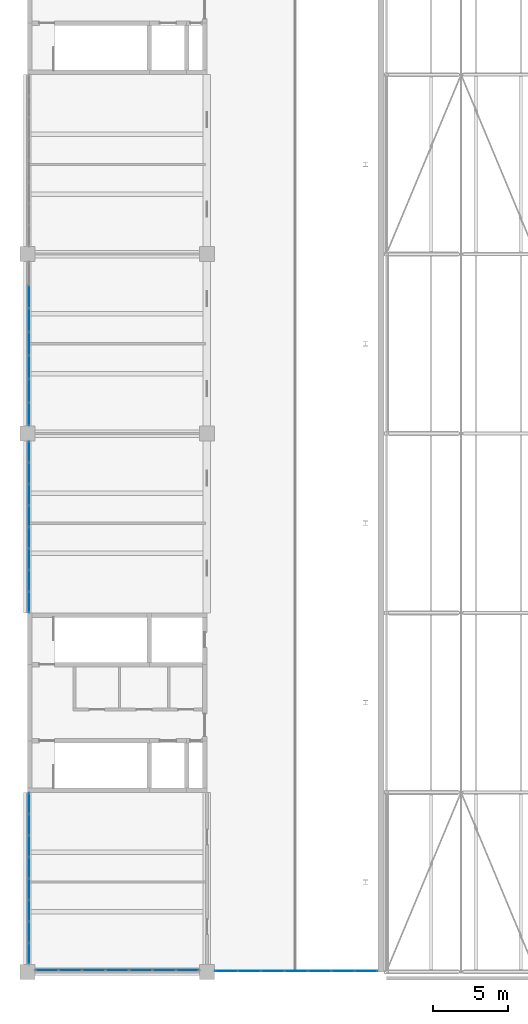
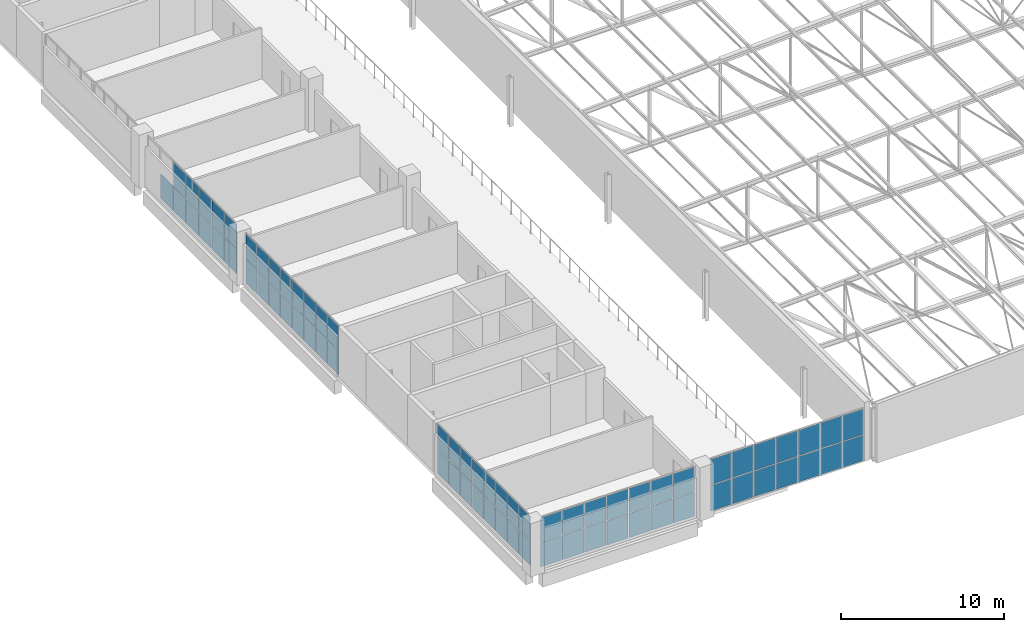
# One storey, part 134 of 156: 71 plates, 5 elements without a shape of their own.
"""IFC4 building model written with IfcOpenShell, lengths in metres."""

import ifcopenshell
import ifcopenshell.guid

model = None  # the IFC model being written
_history = None  # IfcOwnerHistory: only IFC2X3 demands one
_inside = {}  # id of a spatial element -> (the spatial element, [elements in it])
_under = {}  # id of a project, library or spatial element -> (it, [spatial elements below it])
_declared = {}  # id of a project -> (the project, [libraries it declares])
_typed = {}  # id of a type object -> (the type object, [elements of that type])
_made_of = {}  # id of a material, layer set ... -> (it, [elements and type objects made of it])


def new_model(schema):
    """Start an empty IFC model of exactly this schema.

    Asked for "IFC4X3", IfcOpenShell would pick the latest addendum, in which some entities
    have other attributes; the version numbers below select the first issue.
    IFC2X3 requires an IfcOwnerHistory on every rooted entity: one is made here for all.
    """
    global model, _history
    if schema == "IFC4X3":
        model = ifcopenshell.file(schema_version=(4, 3, 0, 0))
    else:
        model = ifcopenshell.file(schema=schema)
    _inside.clear()
    _under.clear()
    _declared.clear()
    _typed.clear()
    _made_of.clear()
    _history = None
    if model.schema == "IFC2X3":
        org = make("IfcOrganization", Name="unknown")
        user = make(
            "IfcPersonAndOrganization",
            ThePerson=make("IfcPerson", FamilyName="unknown"),
            TheOrganization=org,
        )
        app = make(
            "IfcApplication",
            ApplicationDeveloper=org,
            Version="unknown",
            ApplicationFullName="unknown",
            ApplicationIdentifier="unknown",
        )
        _history = make(
            "IfcOwnerHistory",
            OwningUser=user,
            OwningApplication=app,
            ChangeAction="ADDED",
            CreationDate=0,
        )
    return model


def make(cls, **values):
    """One entity of the class cls with the attributes given. An attribute that is None is left unset."""
    return model.create_entity(
        cls, **{name: value for name, value in values.items() if value is not None}
    )


def rooted(cls, **values):
    """An entity with a GlobalId (a new one), such as an element, a storey or a relation."""
    return make(cls, GlobalId=ifcopenshell.guid.new(), OwnerHistory=_history, **values)


def si_unit(unit_type, name, prefix=None):
    """IfcSIUnit, for example si_unit("LENGTHUNIT", "METRE", prefix="MILLI")."""
    return make("IfcSIUnit", UnitType=unit_type, Prefix=prefix, Name=name)


def assignment(units):
    """IfcUnitAssignment: the units of a project."""
    return None if units is None else make("IfcUnitAssignment", Units=units)


def point(xyz):
    """IfcCartesianPoint."""
    return None if xyz is None else make("IfcCartesianPoint", Coordinates=xyz)


def direction(xyz):
    """IfcDirection."""
    return None if xyz is None else make("IfcDirection", DirectionRatios=xyz)


def frame(location, z_axis=None, x_axis=None):
    """IfcAxis2Placement3D, a coordinate frame: its origin and axes. An axis left out is left unset."""
    return make(
        "IfcAxis2Placement3D",
        Location=point(location),
        Axis=direction(z_axis),
        RefDirection=direction(x_axis),
    )


def frame_2d(location, x_axis=None):
    """IfcAxis2Placement2D, a coordinate frame in the plane: its origin and x axis."""
    return make(
        "IfcAxis2Placement2D", Location=point(location), RefDirection=direction(x_axis)
    )


def origin():
    """The frame at (0, 0, 0) with its axes left unset."""
    return frame((0.0, 0.0, 0.0))


def origin_2d():
    """The frame at (0, 0) in the plane with its x axis left unset."""
    return frame_2d((0.0, 0.0))


def place(relative_to, where):
    """IfcLocalPlacement: puts the frame where relative to a parent placement (None: the world)."""
    return make(
        "IfcLocalPlacement", PlacementRelTo=relative_to, RelativePlacement=where
    )


def context(
    kind, dimensions, precision=None, world=None, true_north=None, identifier=None
):
    """IfcGeometricRepresentationContext, for example the 3D "Model" context."""
    return make(
        "IfcGeometricRepresentationContext",
        ContextIdentifier=identifier,
        ContextType=kind,
        CoordinateSpaceDimension=dimensions,
        Precision=precision,
        WorldCoordinateSystem=world,
        TrueNorth=true_north,
    )


def subcontext(parent, identifier, kind, view, scale=None):
    """IfcGeometricRepresentationSubContext, for example "Body" below "Model"."""
    return make(
        "IfcGeometricRepresentationSubContext",
        ContextIdentifier=identifier,
        ContextType=kind,
        ParentContext=parent,
        TargetScale=scale,
        TargetView=view,
    )


def project(units=None, contexts=None):
    """IfcProject with its units and contexts."""
    return rooted(
        "IfcProject",
        Name="project",
        RepresentationContexts=contexts,
        UnitsInContext=assignment(units),
    )


def spatial(cls, under=None, at=None, **own):
    """A site, building, storey or space (cls), placed at a placement, below another one or the project."""
    s = rooted(cls, ObjectPlacement=at, **own)
    if under is not None:
        _under.setdefault(under.id(), (under, []))[1].append(s)
    return s


def profile(cls, at=None, kind="AREA", **sizes):
    """A parametric profile (cls). Its sizes go by their IFC names, for example OverallWidth=200.0."""
    return make(cls, ProfileType=kind, Position=at, **sizes)


def rectangle(**sizes):
    """IfcRectangleProfileDef."""
    return profile("IfcRectangleProfileDef", **sizes)


def extrude(swept, where, along, depth):
    """IfcExtrudedAreaSolid: the profile swept, set in the frame where, extruded along a direction by depth."""
    return make(
        "IfcExtrudedAreaSolid",
        SweptArea=swept,
        Position=where,
        ExtrudedDirection=direction(along),
        Depth=depth,
    )


def shape(context_of_items, identifier, shape_type, items):
    """IfcShapeRepresentation: the items that make up one representation, for example the "Body"."""
    return make(
        "IfcShapeRepresentation",
        ContextOfItems=context_of_items,
        RepresentationIdentifier=identifier,
        RepresentationType=shape_type,
        Items=items,
    )


def material(Name=None, Category=None):
    """IfcMaterial."""
    return make("IfcMaterial", Name=Name, Category=Category)


def layer(
    of_material, thickness, ventilated=None, Name=None, Category=None, Priority=None
):
    """IfcMaterialLayer: one layer of a wall or slab, of a material (None: an air gap)."""
    return make(
        "IfcMaterialLayer",
        Material=of_material,
        LayerThickness=thickness,
        IsVentilated=ventilated,
        Name=Name,
        Category=Category,
        Priority=Priority,
    )


def layer_set(layers, Name=None):
    """IfcMaterialLayerSet."""
    return make("IfcMaterialLayerSet", MaterialLayers=layers, LayerSetName=Name)


def made_of(thing, what):
    """Note that an element or type object is made of a material, layer set ...; save() writes the relation."""
    if what is not None:
        _made_of.setdefault(what.id(), (what, []))[1].append(thing)
    return thing


def type_object(cls, material=None, **own):
    """A type object (cls), such as IfcWallType, which elements share."""
    return made_of(rooted(cls, **own), material)


def element(
    cls,
    number,
    at=None,
    inside=None,
    cuts=None,
    type_object=None,
    material=None,
    context=None,
    identifier="Body",
    shape_type=None,
    held_by="IfcProductDefinitionShape",
    body=None,
    shapes=None,
    **own,
):
    """One element of the class cls, such as IfcWall. Its Tag is "e" and its number.

    at: its placement. inside: the storey or other place that contains it. cuts: it is an
    opening in that element (IfcRelVoidsElement). A single representation is given by context,
    identifier, shape_type and body (its items); several are given by shapes. held_by: the class
    of the entity that holds the representations. save() writes the other relations.
    """
    e = rooted(cls, Tag="e%d" % number, ObjectPlacement=at, **own)
    if body is not None:
        shapes = [shape(context, identifier, shape_type, body)]
    if shapes is not None:
        e.Representation = make(held_by, Representations=shapes)
    if inside is not None:
        _inside.setdefault(inside.id(), (inside, []))[1].append(e)
    if cuts is not None:
        rooted(
            "IfcRelVoidsElement", RelatingBuildingElement=cuts, RelatedOpeningElement=e
        )
    if type_object is not None:
        _typed.setdefault(type_object.id(), (type_object, []))[1].append(e)
    return made_of(e, material)


def aggregate(whole, parts):
    """IfcRelAggregates: a whole, such as a stair, and the parts it consists of."""
    return rooted("IfcRelAggregates", RelatingObject=whole, RelatedObjects=parts)


def save(model, path):
    """Write the relations noted so far, then the file.

    IfcRelAggregates (storeys below a building ...), IfcRelContainedInSpatialStructure (elements
    in a storey), IfcRelDefinesByType, IfcRelAssociatesMaterial and IfcRelDeclares: one each for
    every whole, place, type object, material and project.
    """
    for whole, parts in _under.values():
        aggregate(whole, parts)
    for where, things in _inside.values():
        rooted(
            "IfcRelContainedInSpatialStructure",
            RelatedElements=things,
            RelatingStructure=where,
        )
    for kind, things in _typed.values():
        rooted("IfcRelDefinesByType", RelatedObjects=things, RelatingType=kind)
    for what, things in _made_of.values():
        rooted("IfcRelAssociatesMaterial", RelatedObjects=things, RelatingMaterial=what)
    for by, libraries in _declared.values():
        rooted("IfcRelDeclares", RelatingContext=by, RelatedDefinitions=libraries)
    model.write(path)


model = new_model("IFC4")

# Units and contexts
model_context = context("Model", 3, precision=1e-05, world=origin(), true_north=direction((0.0, 1.0)))
body_context = subcontext(model_context, "Body", "Model", "MODEL_VIEW")
ifc_project = project(units=[si_unit("LENGTHUNIT", "METRE"), si_unit("AREAUNIT", "SQUARE_METRE"), si_unit("VOLUMEUNIT", "CUBIC_METRE"), si_unit("PLANEANGLEUNIT", "RADIAN"), si_unit("MASSUNIT", "GRAM", prefix="KILO")], contexts=[model_context])

# Site, building, storey
site_placement = place(None, origin())
site = spatial("IfcSite", under=ifc_project, at=site_placement, CompositionType="ELEMENT")
building_placement = place(site_placement, origin())
building = spatial("IfcBuilding", under=site, at=building_placement, Name="Lilac Gate Convention Centre", CompositionType="ELEMENT")
storey_placement = place(building_placement, frame((0.0, 0.0, 17.0)))
storey = spatial("IfcBuildingStorey", under=building, at=storey_placement, Name="L03", CompositionType="ELEMENT", Elevation=17.0)

# Curtain wall, plates
ifc_material_1 = material(Name="Aluminium framed double glazing", Category="aluminium")
ifc_layer_1 = layer(ifc_material_1, 0.199951171875)
ifc_layer_set_1 = layer_set([ifc_layer_1], Name="Aluminium framed double glazing")
curtain_wall_type = type_object("IfcCurtainWallType", Name="Unitised curtain wall 1500", PredefinedType="NOTDEFINED", material=ifc_layer_set_1)
curtain_wall_1_placement = place(storey_placement, origin())
curtain_wall_1 = element("IfcCurtainWall", 1, at=curtain_wall_1_placement, inside=storey, type_object=curtain_wall_type, Name="Curtain wall PW L03 10", PredefinedType="NOTDEFINED")
ifc_material_2 = material(Name="Double glazed unit low emissivity")
ifc_layer_2 = layer(ifc_material_2, 0.028076171875)
ifc_layer_set_2 = layer_set([ifc_layer_2], Name="Double glazed unit low emissivity")
plate_type_1 = type_object("IfcPlateType", Name="Curtain wall glass panel 28", PredefinedType="CURTAIN_PANEL", material=ifc_layer_set_2)
plate_1_placement = place(storey_placement, frame((6.10009765625, 73.571533203125, 1.929931640625), z_axis=(0.0, 0.0, 1.0), x_axis=(0.0, -1.0, 0.0)))
plate_1 = element("IfcPlate", 2, at=plate_1_placement, type_object=plate_type_1, Name="CW panel 3.2", PredefinedType="CURTAIN_PANEL", context=body_context, shape_type="SweptSolid", body=[
    extrude(rectangle(XDim=1.511474609375, YDim=0.028076171875, at=origin_2d()), origin(), (0.0, 0.0, 1.0), 1.81005859375),
])
plate_2_placement = place(storey_placement, frame((6.10009765625, 72.0, 1.929931640625), z_axis=(0.0, 0.0, 1.0), x_axis=(0.0, -1.0, 0.0)))
plate_2 = element("IfcPlate", 3, at=plate_2_placement, type_object=plate_type_1, Name="CW panel 4.2", PredefinedType="CURTAIN_PANEL", context=body_context, shape_type="SweptSolid", body=[
    extrude(rectangle(XDim=1.511474609375, YDim=0.028076171875, at=origin_2d()), origin(), (0.0, 0.0, 1.0), 1.81005859375),
])
plate_3_placement = place(storey_placement, frame((6.10009765625, 70.428466796875, 1.929931640625), z_axis=(0.0, 0.0, 1.0), x_axis=(0.0, -1.0, 0.0)))
plate_3 = element("IfcPlate", 4, at=plate_3_placement, type_object=plate_type_1, Name="CW panel 5.2", PredefinedType="CURTAIN_PANEL", context=body_context, shape_type="SweptSolid", body=[
    extrude(rectangle(XDim=1.511474609375, YDim=0.028076171875, at=origin_2d()), origin(), (0.0, 0.0, 1.0), 1.81005859375),
])
plate_4_placement = place(storey_placement, frame((6.10009765625, 68.857177734375, 1.929931640625), z_axis=(0.0, 0.0, 1.0), x_axis=(0.0, -1.0, 0.0)))
plate_4 = element("IfcPlate", 5, at=plate_4_placement, type_object=plate_type_1, Name="CW panel 6.2", PredefinedType="CURTAIN_PANEL", context=body_context, shape_type="SweptSolid", body=[
    extrude(rectangle(XDim=1.511474609375, YDim=0.028076171875, at=origin_2d()), origin(), (0.0, 0.0, 1.0), 1.81005859375),
])
plate_5_placement = place(storey_placement, frame((6.10009765625, 67.30078125, 1.929931640625), z_axis=(0.0, 0.0, 1.0), x_axis=(0.0, -1.0, 0.0)))
plate_5 = element("IfcPlate", 6, at=plate_5_placement, type_object=plate_type_1, Name="CW panel 7.2", PredefinedType="CURTAIN_PANEL", context=body_context, shape_type="SweptSolid", body=[
    extrude(rectangle(XDim=1.4814453125, YDim=0.028076171875, at=origin_2d()), origin(), (0.0, 0.0, 1.0), 1.81005859375),
])

curtain_wall_2_placement = place(storey_placement, origin())
curtain_wall_2 = element("IfcCurtainWall", 7, at=curtain_wall_2_placement, inside=storey, type_object=curtain_wall_type, Name="Curtain wall PW L03 11", PredefinedType="NOTDEFINED")
plate_6_placement = place(storey_placement, frame((6.10009765625, 64.766357421875, 1.929931640625), z_axis=(0.0, 0.0, 1.0), x_axis=(0.0, -1.0, 0.0)))
plate_6 = element("IfcPlate", 8, at=plate_6_placement, type_object=plate_type_1, Name="CW panel 1.2", PredefinedType="CURTAIN_PANEL", context=body_context, shape_type="SweptSolid", body=[
    extrude(rectangle(XDim=1.347412109375, YDim=0.028076171875, at=origin_2d()), origin(), (0.0, 0.0, 1.0), 1.81005859375),
])
plate_7_placement = place(storey_placement, frame((6.10009765625, 63.34375, 1.929931640625), z_axis=(0.0, 0.0, 1.0), x_axis=(0.0, -1.0, 0.0)))
plate_7 = element("IfcPlate", 9, at=plate_7_placement, type_object=plate_type_1, Name="CW panel 2.2", PredefinedType="CURTAIN_PANEL", context=body_context, shape_type="SweptSolid", body=[
    extrude(rectangle(XDim=1.37744140625, YDim=0.028076171875, at=origin_2d()), origin(), (0.0, 0.0, 1.0), 1.81005859375),
])
plate_8_placement = place(storey_placement, frame((6.10009765625, 61.90625, 1.929931640625), z_axis=(0.0, 0.0, 1.0), x_axis=(0.0, -1.0, 0.0)))
plate_8 = element("IfcPlate", 10, at=plate_8_placement, type_object=plate_type_1, Name="CW panel 3.2", PredefinedType="CURTAIN_PANEL", context=body_context, shape_type="SweptSolid", body=[
    extrude(rectangle(XDim=1.37744140625, YDim=0.028076171875, at=origin_2d()), origin(), (0.0, 0.0, 1.0), 1.81005859375),
])
plate_9_placement = place(storey_placement, frame((6.10009765625, 60.46875, 1.929931640625), z_axis=(0.0, 0.0, 1.0), x_axis=(0.0, -1.0, 0.0)))
plate_9 = element("IfcPlate", 11, at=plate_9_placement, type_object=plate_type_1, Name="CW panel 4.2", PredefinedType="CURTAIN_PANEL", context=body_context, shape_type="SweptSolid", body=[
    extrude(rectangle(XDim=1.37744140625, YDim=0.028076171875, at=origin_2d()), origin(), (0.0, 0.0, 1.0), 1.81005859375),
])
plate_10_placement = place(storey_placement, frame((6.10009765625, 59.03125, 1.929931640625), z_axis=(0.0, 0.0, 1.0), x_axis=(0.0, -1.0, 0.0)))
plate_10 = element("IfcPlate", 12, at=plate_10_placement, type_object=plate_type_1, Name="CW panel 5.2", PredefinedType="CURTAIN_PANEL", context=body_context, shape_type="SweptSolid", body=[
    extrude(rectangle(XDim=1.37744140625, YDim=0.028076171875, at=origin_2d()), origin(), (0.0, 0.0, 1.0), 1.81005859375),
])
plate_11_placement = place(storey_placement, frame((6.10009765625, 57.59375, 1.929931640625), z_axis=(0.0, 0.0, 1.0), x_axis=(0.0, -1.0, 0.0)))
plate_11 = element("IfcPlate", 13, at=plate_11_placement, type_object=plate_type_1, Name="CW panel 6.2", PredefinedType="CURTAIN_PANEL", context=body_context, shape_type="SweptSolid", body=[
    extrude(rectangle(XDim=1.37744140625, YDim=0.028076171875, at=origin_2d()), origin(), (0.0, 0.0, 1.0), 1.81005859375),
])
plate_12_placement = place(storey_placement, frame((6.10009765625, 56.15625, 1.929931640625), z_axis=(0.0, 0.0, 1.0), x_axis=(0.0, -1.0, 0.0)))
plate_12 = element("IfcPlate", 14, at=plate_12_placement, type_object=plate_type_1, Name="CW panel 7.2", PredefinedType="CURTAIN_PANEL", context=body_context, shape_type="SweptSolid", body=[
    extrude(rectangle(XDim=1.37744140625, YDim=0.028076171875, at=origin_2d()), origin(), (0.0, 0.0, 1.0), 1.81005859375),
])
plate_13_placement = place(storey_placement, frame((6.10009765625, 54.733642578125, 1.929931640625), z_axis=(0.0, 0.0, 1.0), x_axis=(0.0, -1.0, 0.0)))
plate_13 = element("IfcPlate", 15, at=plate_13_placement, type_object=plate_type_1, Name="CW panel 8.2", PredefinedType="CURTAIN_PANEL", context=body_context, shape_type="SweptSolid", body=[
    extrude(rectangle(XDim=1.347412109375, YDim=0.028076171875, at=origin_2d()), origin(), (0.0, 0.0, 1.0), 1.81005859375),
])

curtain_wall_3_placement = place(storey_placement, origin())
curtain_wall_3 = element("IfcCurtainWall", 16, at=curtain_wall_3_placement, inside=storey, type_object=curtain_wall_type, Name="Curtain wall PW L03 12", PredefinedType="NOTDEFINED")
plate_14_placement = place(storey_placement, frame((6.10009765625, 41.266357421875, 1.929931640625), z_axis=(0.0, 0.0, 1.0), x_axis=(0.0, -1.0, 0.0)))
plate_14 = element("IfcPlate", 17, at=plate_14_placement, type_object=plate_type_1, Name="CW panel 1.2", PredefinedType="CURTAIN_PANEL", context=body_context, shape_type="SweptSolid", body=[
    extrude(rectangle(XDim=1.347412109375, YDim=0.028076171875, at=origin_2d()), origin(), (0.0, 0.0, 1.0), 1.81005859375),
])
plate_15_placement = place(storey_placement, frame((6.10009765625, 39.84375, 1.929931640625), z_axis=(0.0, 0.0, 1.0), x_axis=(0.0, -1.0, 0.0)))
plate_15 = element("IfcPlate", 18, at=plate_15_placement, type_object=plate_type_1, Name="CW panel 2.2", PredefinedType="CURTAIN_PANEL", context=body_context, shape_type="SweptSolid", body=[
    extrude(rectangle(XDim=1.37744140625, YDim=0.028076171875, at=origin_2d()), origin(), (0.0, 0.0, 1.0), 1.81005859375),
])
plate_16_placement = place(storey_placement, frame((6.10009765625, 38.40625, 1.929931640625), z_axis=(0.0, 0.0, 1.0), x_axis=(0.0, -1.0, 0.0)))
plate_16 = element("IfcPlate", 19, at=plate_16_placement, type_object=plate_type_1, Name="CW panel 3.2", PredefinedType="CURTAIN_PANEL", context=body_context, shape_type="SweptSolid", body=[
    extrude(rectangle(XDim=1.37744140625, YDim=0.028076171875, at=origin_2d()), origin(), (0.0, 0.0, 1.0), 1.81005859375),
])
plate_17_placement = place(storey_placement, frame((6.10009765625, 36.96875, 1.929931640625), z_axis=(0.0, 0.0, 1.0), x_axis=(0.0, -1.0, 0.0)))
plate_17 = element("IfcPlate", 20, at=plate_17_placement, type_object=plate_type_1, Name="CW panel 4.2", PredefinedType="CURTAIN_PANEL", context=body_context, shape_type="SweptSolid", body=[
    extrude(rectangle(XDim=1.37744140625, YDim=0.028076171875, at=origin_2d()), origin(), (0.0, 0.0, 1.0), 1.81005859375),
])
plate_18_placement = place(storey_placement, frame((6.10009765625, 35.53125, 1.929931640625), z_axis=(0.0, 0.0, 1.0), x_axis=(0.0, -1.0, 0.0)))
plate_18 = element("IfcPlate", 21, at=plate_18_placement, type_object=plate_type_1, Name="CW panel 5.2", PredefinedType="CURTAIN_PANEL", context=body_context, shape_type="SweptSolid", body=[
    extrude(rectangle(XDim=1.37744140625, YDim=0.028076171875, at=origin_2d()), origin(), (0.0, 0.0, 1.0), 1.81005859375),
])
plate_19_placement = place(storey_placement, frame((6.10009765625, 34.09375, 1.929931640625), z_axis=(0.0, 0.0, 1.0), x_axis=(0.0, -1.0, 0.0)))
plate_19 = element("IfcPlate", 22, at=plate_19_placement, type_object=plate_type_1, Name="CW panel 6.2", PredefinedType="CURTAIN_PANEL", context=body_context, shape_type="SweptSolid", body=[
    extrude(rectangle(XDim=1.37744140625, YDim=0.028076171875, at=origin_2d()), origin(), (0.0, 0.0, 1.0), 1.81005859375),
])
plate_20_placement = place(storey_placement, frame((6.10009765625, 32.65625, 1.929931640625), z_axis=(0.0, 0.0, 1.0), x_axis=(0.0, -1.0, 0.0)))
plate_20 = element("IfcPlate", 23, at=plate_20_placement, type_object=plate_type_1, Name="CW panel 7.2", PredefinedType="CURTAIN_PANEL", context=body_context, shape_type="SweptSolid", body=[
    extrude(rectangle(XDim=1.37744140625, YDim=0.028076171875, at=origin_2d()), origin(), (0.0, 0.0, 1.0), 1.81005859375),
])
plate_21_placement = place(storey_placement, frame((6.10009765625, 31.233642578125, 1.929931640625), z_axis=(0.0, 0.0, 1.0), x_axis=(0.0, -1.0, 0.0)))
plate_21 = element("IfcPlate", 24, at=plate_21_placement, type_object=plate_type_1, Name="CW panel 8.2", PredefinedType="CURTAIN_PANEL", context=body_context, shape_type="SweptSolid", body=[
    extrude(rectangle(XDim=1.347412109375, YDim=0.028076171875, at=origin_2d()), origin(), (0.0, 0.0, 1.0), 1.81005859375),
])

curtain_wall_4_placement = place(storey_placement, origin())
curtain_wall_4 = element("IfcCurtainWall", 25, at=curtain_wall_4_placement, inside=storey, type_object=curtain_wall_type, Name="Curtain wall PS L03 1", PredefinedType="NOTDEFINED")
plate_22_placement = place(storey_placement, frame((7.30078125, 30.10009765625, 1.929931640625), z_axis=(0.0, 0.0, 1.0), x_axis=(1.0, 0.0, 0.0)))
plate_22 = element("IfcPlate", 26, at=plate_22_placement, type_object=plate_type_1, Name="CW panel 1.2", PredefinedType="CURTAIN_PANEL", context=body_context, shape_type="SweptSolid", body=[
    extrude(rectangle(XDim=1.4814453125, YDim=0.028076171875, at=origin_2d()), origin(), (0.0, 0.0, 1.0), 1.81005859375),
])
plate_23_placement = place(storey_placement, frame((8.857177734375, 30.10009765625, 1.929931640625), z_axis=(0.0, 0.0, 1.0), x_axis=(1.0, 0.0, 0.0)))
plate_23 = element("IfcPlate", 27, at=plate_23_placement, type_object=plate_type_1, Name="CW panel 2.2", PredefinedType="CURTAIN_PANEL", context=body_context, shape_type="SweptSolid", body=[
    extrude(rectangle(XDim=1.511474609375, YDim=0.028076171875, at=origin_2d()), origin(), (0.0, 0.0, 1.0), 1.81005859375),
])
plate_24_placement = place(storey_placement, frame((10.428466796875, 30.10009765625, 1.929931640625), z_axis=(0.0, 0.0, 1.0), x_axis=(1.0, 0.0, 0.0)))
plate_24 = element("IfcPlate", 28, at=plate_24_placement, type_object=plate_type_1, Name="CW panel 3.2", PredefinedType="CURTAIN_PANEL", context=body_context, shape_type="SweptSolid", body=[
    extrude(rectangle(XDim=1.511474609375, YDim=0.028076171875, at=origin_2d()), origin(), (0.0, 0.0, 1.0), 1.81005859375),
])
plate_25_placement = place(storey_placement, frame((12.0, 30.10009765625, 1.929931640625), z_axis=(0.0, 0.0, 1.0), x_axis=(1.0, 0.0, 0.0)))
plate_25 = element("IfcPlate", 29, at=plate_25_placement, type_object=plate_type_1, Name="CW panel 4.2", PredefinedType="CURTAIN_PANEL", context=body_context, shape_type="SweptSolid", body=[
    extrude(rectangle(XDim=1.511474609375, YDim=0.028076171875, at=origin_2d()), origin(), (0.0, 0.0, 1.0), 1.81005859375),
])
plate_26_placement = place(storey_placement, frame((13.571533203125, 30.10009765625, 1.929931640625), z_axis=(0.0, 0.0, 1.0), x_axis=(1.0, 0.0, 0.0)))
plate_26 = element("IfcPlate", 30, at=plate_26_placement, type_object=plate_type_1, Name="CW panel 5.2", PredefinedType="CURTAIN_PANEL", context=body_context, shape_type="SweptSolid", body=[
    extrude(rectangle(XDim=1.511474609375, YDim=0.028076171875, at=origin_2d()), origin(), (0.0, 0.0, 1.0), 1.81005859375),
])
plate_27_placement = place(storey_placement, frame((15.142822265625, 30.10009765625, 1.929931640625), z_axis=(0.0, 0.0, 1.0), x_axis=(1.0, 0.0, 0.0)))
plate_27 = element("IfcPlate", 31, at=plate_27_placement, type_object=plate_type_1, Name="CW panel 6.2", PredefinedType="CURTAIN_PANEL", context=body_context, shape_type="SweptSolid", body=[
    extrude(rectangle(XDim=1.511474609375, YDim=0.028076171875, at=origin_2d()), origin(), (0.0, 0.0, 1.0), 1.81005859375),
])
plate_28_placement = place(storey_placement, frame((16.69921875, 30.10009765625, 1.929931640625), z_axis=(0.0, 0.0, 1.0), x_axis=(1.0, 0.0, 0.0)))
plate_28 = element("IfcPlate", 32, at=plate_28_placement, type_object=plate_type_1, Name="CW panel 7.2", PredefinedType="CURTAIN_PANEL", context=body_context, shape_type="SweptSolid", body=[
    extrude(rectangle(XDim=1.4814453125, YDim=0.028076171875, at=origin_2d()), origin(), (0.0, 0.0, 1.0), 1.81005859375),
])

curtain_wall_5_placement = place(storey_placement, origin())
curtain_wall_5 = element("IfcCurtainWall", 33, at=curtain_wall_5_placement, inside=storey, type_object=curtain_wall_type, Name="Galleria end glazing L03", PredefinedType="NOTDEFINED")
plate_29_placement = place(storey_placement, frame((19.297119140625, 30.050048828125, 0.06005859375), z_axis=(0.0, 0.0, 1.0), x_axis=(1.0, 0.0, 0.0)))
plate_29 = element("IfcPlate", 34, at=plate_29_placement, type_object=plate_type_1, Name="CW panel 1.1", PredefinedType="CURTAIN_PANEL", context=body_context, shape_type="SweptSolid", body=[
    extrude(rectangle(XDim=1.474365234375, YDim=0.028076171875, at=origin_2d()), origin(), (0.0, 0.0, 1.0), 1.909912109375),
])
plate_30_placement = place(storey_placement, frame((19.297119140625, 30.050048828125, 2.0302734375), z_axis=(0.0, 0.0, 1.0), x_axis=(1.0, 0.0, 0.0)))
plate_30 = element("IfcPlate", 35, at=plate_30_placement, type_object=plate_type_1, Name="CW panel 1.2", PredefinedType="CURTAIN_PANEL", context=body_context, shape_type="SweptSolid", body=[
    extrude(rectangle(XDim=1.474365234375, YDim=0.028076171875, at=origin_2d()), origin(), (0.0, 0.0, 1.0), 1.909912109375),
])
plate_31_placement = place(storey_placement, frame((20.846435546875, 30.050048828125, 0.06005859375), z_axis=(0.0, 0.0, 1.0), x_axis=(1.0, 0.0, 0.0)))
plate_31 = element("IfcPlate", 36, at=plate_31_placement, type_object=plate_type_1, Name="CW panel 2.1", PredefinedType="CURTAIN_PANEL", context=body_context, shape_type="SweptSolid", body=[
    extrude(rectangle(XDim=1.50439453125, YDim=0.028076171875, at=origin_2d()), origin(), (0.0, 0.0, 1.0), 1.909912109375),
])
plate_32_placement = place(storey_placement, frame((20.846435546875, 30.050048828125, 2.0302734375), z_axis=(0.0, 0.0, 1.0), x_axis=(1.0, 0.0, 0.0)))
plate_32 = element("IfcPlate", 37, at=plate_32_placement, type_object=plate_type_1, Name="CW panel 2.2", PredefinedType="CURTAIN_PANEL", context=body_context, shape_type="SweptSolid", body=[
    extrude(rectangle(XDim=1.50439453125, YDim=0.028076171875, at=origin_2d()), origin(), (0.0, 0.0, 1.0), 1.909912109375),
])
plate_33_placement = place(storey_placement, frame((22.41064453125, 30.050048828125, 0.06005859375), z_axis=(0.0, 0.0, 1.0), x_axis=(1.0, 0.0, 0.0)))
plate_33 = element("IfcPlate", 38, at=plate_33_placement, type_object=plate_type_1, Name="CW panel 3.1", PredefinedType="CURTAIN_PANEL", context=body_context, shape_type="SweptSolid", body=[
    extrude(rectangle(XDim=1.50439453125, YDim=0.028076171875, at=origin_2d()), origin(), (0.0, 0.0, 1.0), 1.909912109375),
])
plate_34_placement = place(storey_placement, frame((22.41064453125, 30.050048828125, 2.0302734375), z_axis=(0.0, 0.0, 1.0), x_axis=(1.0, 0.0, 0.0)))
plate_34 = element("IfcPlate", 39, at=plate_34_placement, type_object=plate_type_1, Name="CW panel 3.2", PredefinedType="CURTAIN_PANEL", context=body_context, shape_type="SweptSolid", body=[
    extrude(rectangle(XDim=1.50439453125, YDim=0.028076171875, at=origin_2d()), origin(), (0.0, 0.0, 1.0), 1.909912109375),
])
plate_35_placement = place(storey_placement, frame((23.97509765625, 30.050048828125, 0.06005859375), z_axis=(0.0, 0.0, 1.0), x_axis=(1.0, 0.0, 0.0)))
plate_35 = element("IfcPlate", 40, at=plate_35_placement, type_object=plate_type_1, Name="CW panel 4.1", PredefinedType="CURTAIN_PANEL", context=body_context, shape_type="SweptSolid", body=[
    extrude(rectangle(XDim=1.50439453125, YDim=0.028076171875, at=origin_2d()), origin(), (0.0, 0.0, 1.0), 1.909912109375),
])
plate_36_placement = place(storey_placement, frame((23.97509765625, 30.050048828125, 2.0302734375), z_axis=(0.0, 0.0, 1.0), x_axis=(1.0, 0.0, 0.0)))
plate_36 = element("IfcPlate", 41, at=plate_36_placement, type_object=plate_type_1, Name="CW panel 4.2", PredefinedType="CURTAIN_PANEL", context=body_context, shape_type="SweptSolid", body=[
    extrude(rectangle(XDim=1.50439453125, YDim=0.028076171875, at=origin_2d()), origin(), (0.0, 0.0, 1.0), 1.909912109375),
])
plate_37_placement = place(storey_placement, frame((25.539306640625, 30.050048828125, 0.06005859375), z_axis=(0.0, 0.0, 1.0), x_axis=(1.0, 0.0, 0.0)))
plate_37 = element("IfcPlate", 42, at=plate_37_placement, type_object=plate_type_1, Name="CW panel 5.1", PredefinedType="CURTAIN_PANEL", context=body_context, shape_type="SweptSolid", body=[
    extrude(rectangle(XDim=1.50439453125, YDim=0.028076171875, at=origin_2d()), origin(), (0.0, 0.0, 1.0), 1.909912109375),
])
plate_38_placement = place(storey_placement, frame((25.539306640625, 30.050048828125, 2.0302734375), z_axis=(0.0, 0.0, 1.0), x_axis=(1.0, 0.0, 0.0)))
plate_38 = element("IfcPlate", 43, at=plate_38_placement, type_object=plate_type_1, Name="CW panel 5.2", PredefinedType="CURTAIN_PANEL", context=body_context, shape_type="SweptSolid", body=[
    extrude(rectangle(XDim=1.50439453125, YDim=0.028076171875, at=origin_2d()), origin(), (0.0, 0.0, 1.0), 1.909912109375),
])
plate_39_placement = place(storey_placement, frame((27.103515625, 30.050048828125, 0.06005859375), z_axis=(0.0, 0.0, 1.0), x_axis=(1.0, 0.0, 0.0)))
plate_39 = element("IfcPlate", 44, at=plate_39_placement, type_object=plate_type_1, Name="CW panel 6.1", PredefinedType="CURTAIN_PANEL", context=body_context, shape_type="SweptSolid", body=[
    extrude(rectangle(XDim=1.50439453125, YDim=0.028076171875, at=origin_2d()), origin(), (0.0, 0.0, 1.0), 1.909912109375),
])
plate_40_placement = place(storey_placement, frame((27.103515625, 30.050048828125, 2.0302734375), z_axis=(0.0, 0.0, 1.0), x_axis=(1.0, 0.0, 0.0)))
plate_40 = element("IfcPlate", 45, at=plate_40_placement, type_object=plate_type_1, Name="CW panel 6.2", PredefinedType="CURTAIN_PANEL", context=body_context, shape_type="SweptSolid", body=[
    extrude(rectangle(XDim=1.50439453125, YDim=0.028076171875, at=origin_2d()), origin(), (0.0, 0.0, 1.0), 1.909912109375),
])
plate_41_placement = place(storey_placement, frame((28.65283203125, 30.050048828125, 0.06005859375), z_axis=(0.0, 0.0, 1.0), x_axis=(1.0, 0.0, 0.0)))
plate_41 = element("IfcPlate", 46, at=plate_41_placement, type_object=plate_type_1, Name="CW panel 7.1", PredefinedType="CURTAIN_PANEL", context=body_context, shape_type="SweptSolid", body=[
    extrude(rectangle(XDim=1.474365234375, YDim=0.028076171875, at=origin_2d()), origin(), (0.0, 0.0, 1.0), 1.909912109375),
])
plate_42_placement = place(storey_placement, frame((28.65283203125, 30.050048828125, 2.0302734375), z_axis=(0.0, 0.0, 1.0), x_axis=(1.0, 0.0, 0.0)))
plate_42 = element("IfcPlate", 47, at=plate_42_placement, type_object=plate_type_1, Name="CW panel 7.2", PredefinedType="CURTAIN_PANEL", context=body_context, shape_type="SweptSolid", body=[
    extrude(rectangle(XDim=1.474365234375, YDim=0.028076171875, at=origin_2d()), origin(), (0.0, 0.0, 1.0), 1.909912109375),
])
aggregate(curtain_wall_5, [plate_29, plate_30, plate_31, plate_32, plate_33, plate_34, plate_35, plate_36, plate_37, plate_38, plate_39, plate_40, plate_41, plate_42])

# Plate
ifc_material_3 = material(Name="Insulated aluminium spandrel panel", Category="aluminium")
ifc_layer_3 = layer(ifc_material_3, 0.028076171875)
ifc_layer_set_3 = layer_set([ifc_layer_3], Name="Insulated aluminium spandrel panel")
plate_type_2 = type_object("IfcPlateType", Name="Curtain wall spandrel panel 28", PredefinedType="CURTAIN_PANEL", material=ifc_layer_set_3)
plate_43_placement = place(storey_placement, frame((6.10009765625, 75.142822265625, 0.06005859375), z_axis=(0.0, 0.0, 1.0), x_axis=(0.0, -1.0, 0.0)))
plate_43 = element("IfcPlate", 48, at=plate_43_placement, type_object=plate_type_2, Name="CW spandrel 2.1", PredefinedType="CURTAIN_PANEL", context=body_context, shape_type="SweptSolid", body=[
    extrude(rectangle(XDim=1.511474609375, YDim=0.028076171875, at=origin_2d()), origin(), (0.0, 0.0, 1.0), 1.81005859375),
])

plate_44_placement = place(storey_placement, frame((6.10009765625, 73.571533203125, 0.06005859375), z_axis=(0.0, 0.0, 1.0), x_axis=(0.0, -1.0, 0.0)))
plate_44 = element("IfcPlate", 49, at=plate_44_placement, type_object=plate_type_2, Name="CW spandrel 3.1", PredefinedType="CURTAIN_PANEL", context=body_context, shape_type="SweptSolid", body=[
    extrude(rectangle(XDim=1.511474609375, YDim=0.028076171875, at=origin_2d()), origin(), (0.0, 0.0, 1.0), 1.81005859375),
])

plate_45_placement = place(storey_placement, frame((6.10009765625, 72.0, 0.06005859375), z_axis=(0.0, 0.0, 1.0), x_axis=(0.0, -1.0, 0.0)))
plate_45 = element("IfcPlate", 50, at=plate_45_placement, type_object=plate_type_2, Name="CW spandrel 4.1", PredefinedType="CURTAIN_PANEL", context=body_context, shape_type="SweptSolid", body=[
    extrude(rectangle(XDim=1.511474609375, YDim=0.028076171875, at=origin_2d()), origin(), (0.0, 0.0, 1.0), 1.81005859375),
])

plate_46_placement = place(storey_placement, frame((6.10009765625, 70.428466796875, 0.06005859375), z_axis=(0.0, 0.0, 1.0), x_axis=(0.0, -1.0, 0.0)))
plate_46 = element("IfcPlate", 51, at=plate_46_placement, type_object=plate_type_2, Name="CW spandrel 5.1", PredefinedType="CURTAIN_PANEL", context=body_context, shape_type="SweptSolid", body=[
    extrude(rectangle(XDim=1.511474609375, YDim=0.028076171875, at=origin_2d()), origin(), (0.0, 0.0, 1.0), 1.81005859375),
])

plate_47_placement = place(storey_placement, frame((6.10009765625, 68.857177734375, 0.06005859375), z_axis=(0.0, 0.0, 1.0), x_axis=(0.0, -1.0, 0.0)))
plate_47 = element("IfcPlate", 52, at=plate_47_placement, type_object=plate_type_2, Name="CW spandrel 6.1", PredefinedType="CURTAIN_PANEL", context=body_context, shape_type="SweptSolid", body=[
    extrude(rectangle(XDim=1.511474609375, YDim=0.028076171875, at=origin_2d()), origin(), (0.0, 0.0, 1.0), 1.81005859375),
])

plate_48_placement = place(storey_placement, frame((6.10009765625, 67.30078125, 0.06005859375), z_axis=(0.0, 0.0, 1.0), x_axis=(0.0, -1.0, 0.0)))
plate_48 = element("IfcPlate", 53, at=plate_48_placement, type_object=plate_type_2, Name="CW spandrel 7.1", PredefinedType="CURTAIN_PANEL", context=body_context, shape_type="SweptSolid", body=[
    extrude(rectangle(XDim=1.4814453125, YDim=0.028076171875, at=origin_2d()), origin(), (0.0, 0.0, 1.0), 1.81005859375),
])

aggregate(curtain_wall_1, [plate_43, plate_44, plate_1, plate_45, plate_2, plate_46, plate_3, plate_47, plate_4, plate_48, plate_5])

plate_49_placement = place(storey_placement, frame((6.10009765625, 64.766357421875, 0.06005859375), z_axis=(0.0, 0.0, 1.0), x_axis=(0.0, -1.0, 0.0)))
plate_49 = element("IfcPlate", 54, at=plate_49_placement, type_object=plate_type_2, Name="CW spandrel 1.1", PredefinedType="CURTAIN_PANEL", context=body_context, shape_type="SweptSolid", body=[
    extrude(rectangle(XDim=1.347412109375, YDim=0.028076171875, at=origin_2d()), origin(), (0.0, 0.0, 1.0), 1.81005859375),
])

plate_50_placement = place(storey_placement, frame((6.10009765625, 63.34375, 0.06005859375), z_axis=(0.0, 0.0, 1.0), x_axis=(0.0, -1.0, 0.0)))
plate_50 = element("IfcPlate", 55, at=plate_50_placement, type_object=plate_type_2, Name="CW spandrel 2.1", PredefinedType="CURTAIN_PANEL", context=body_context, shape_type="SweptSolid", body=[
    extrude(rectangle(XDim=1.37744140625, YDim=0.028076171875, at=origin_2d()), origin(), (0.0, 0.0, 1.0), 1.81005859375),
])

plate_51_placement = place(storey_placement, frame((6.10009765625, 61.90625, 0.06005859375), z_axis=(0.0, 0.0, 1.0), x_axis=(0.0, -1.0, 0.0)))
plate_51 = element("IfcPlate", 56, at=plate_51_placement, type_object=plate_type_2, Name="CW spandrel 3.1", PredefinedType="CURTAIN_PANEL", context=body_context, shape_type="SweptSolid", body=[
    extrude(rectangle(XDim=1.37744140625, YDim=0.028076171875, at=origin_2d()), origin(), (0.0, 0.0, 1.0), 1.81005859375),
])

plate_52_placement = place(storey_placement, frame((6.10009765625, 60.46875, 0.06005859375), z_axis=(0.0, 0.0, 1.0), x_axis=(0.0, -1.0, 0.0)))
plate_52 = element("IfcPlate", 57, at=plate_52_placement, type_object=plate_type_2, Name="CW spandrel 4.1", PredefinedType="CURTAIN_PANEL", context=body_context, shape_type="SweptSolid", body=[
    extrude(rectangle(XDim=1.37744140625, YDim=0.028076171875, at=origin_2d()), origin(), (0.0, 0.0, 1.0), 1.81005859375),
])

plate_53_placement = place(storey_placement, frame((6.10009765625, 59.03125, 0.06005859375), z_axis=(0.0, 0.0, 1.0), x_axis=(0.0, -1.0, 0.0)))
plate_53 = element("IfcPlate", 58, at=plate_53_placement, type_object=plate_type_2, Name="CW spandrel 5.1", PredefinedType="CURTAIN_PANEL", context=body_context, shape_type="SweptSolid", body=[
    extrude(rectangle(XDim=1.37744140625, YDim=0.028076171875, at=origin_2d()), origin(), (0.0, 0.0, 1.0), 1.81005859375),
])

plate_54_placement = place(storey_placement, frame((6.10009765625, 57.59375, 0.06005859375), z_axis=(0.0, 0.0, 1.0), x_axis=(0.0, -1.0, 0.0)))
plate_54 = element("IfcPlate", 59, at=plate_54_placement, type_object=plate_type_2, Name="CW spandrel 6.1", PredefinedType="CURTAIN_PANEL", context=body_context, shape_type="SweptSolid", body=[
    extrude(rectangle(XDim=1.37744140625, YDim=0.028076171875, at=origin_2d()), origin(), (0.0, 0.0, 1.0), 1.81005859375),
])

plate_55_placement = place(storey_placement, frame((6.10009765625, 56.15625, 0.06005859375), z_axis=(0.0, 0.0, 1.0), x_axis=(0.0, -1.0, 0.0)))
plate_55 = element("IfcPlate", 60, at=plate_55_placement, type_object=plate_type_2, Name="CW spandrel 7.1", PredefinedType="CURTAIN_PANEL", context=body_context, shape_type="SweptSolid", body=[
    extrude(rectangle(XDim=1.37744140625, YDim=0.028076171875, at=origin_2d()), origin(), (0.0, 0.0, 1.0), 1.81005859375),
])

plate_56_placement = place(storey_placement, frame((6.10009765625, 54.733642578125, 0.06005859375), z_axis=(0.0, 0.0, 1.0), x_axis=(0.0, -1.0, 0.0)))
plate_56 = element("IfcPlate", 61, at=plate_56_placement, type_object=plate_type_2, Name="CW spandrel 8.1", PredefinedType="CURTAIN_PANEL", context=body_context, shape_type="SweptSolid", body=[
    extrude(rectangle(XDim=1.347412109375, YDim=0.028076171875, at=origin_2d()), origin(), (0.0, 0.0, 1.0), 1.81005859375),
])

aggregate(curtain_wall_2, [plate_49, plate_6, plate_50, plate_7, plate_51, plate_8, plate_52, plate_9, plate_53, plate_10, plate_54, plate_11, plate_55, plate_12, plate_56, plate_13])

plate_57_placement = place(storey_placement, frame((6.10009765625, 41.266357421875, 0.06005859375), z_axis=(0.0, 0.0, 1.0), x_axis=(0.0, -1.0, 0.0)))
plate_57 = element("IfcPlate", 62, at=plate_57_placement, type_object=plate_type_2, Name="CW spandrel 1.1", PredefinedType="CURTAIN_PANEL", context=body_context, shape_type="SweptSolid", body=[
    extrude(rectangle(XDim=1.347412109375, YDim=0.028076171875, at=origin_2d()), origin(), (0.0, 0.0, 1.0), 1.81005859375),
])

plate_58_placement = place(storey_placement, frame((6.10009765625, 39.84375, 0.06005859375), z_axis=(0.0, 0.0, 1.0), x_axis=(0.0, -1.0, 0.0)))
plate_58 = element("IfcPlate", 63, at=plate_58_placement, type_object=plate_type_2, Name="CW spandrel 2.1", PredefinedType="CURTAIN_PANEL", context=body_context, shape_type="SweptSolid", body=[
    extrude(rectangle(XDim=1.37744140625, YDim=0.028076171875, at=origin_2d()), origin(), (0.0, 0.0, 1.0), 1.81005859375),
])

plate_59_placement = place(storey_placement, frame((6.10009765625, 38.40625, 0.06005859375), z_axis=(0.0, 0.0, 1.0), x_axis=(0.0, -1.0, 0.0)))
plate_59 = element("IfcPlate", 64, at=plate_59_placement, type_object=plate_type_2, Name="CW spandrel 3.1", PredefinedType="CURTAIN_PANEL", context=body_context, shape_type="SweptSolid", body=[
    extrude(rectangle(XDim=1.37744140625, YDim=0.028076171875, at=origin_2d()), origin(), (0.0, 0.0, 1.0), 1.81005859375),
])

plate_60_placement = place(storey_placement, frame((6.10009765625, 36.96875, 0.06005859375), z_axis=(0.0, 0.0, 1.0), x_axis=(0.0, -1.0, 0.0)))
plate_60 = element("IfcPlate", 65, at=plate_60_placement, type_object=plate_type_2, Name="CW spandrel 4.1", PredefinedType="CURTAIN_PANEL", context=body_context, shape_type="SweptSolid", body=[
    extrude(rectangle(XDim=1.37744140625, YDim=0.028076171875, at=origin_2d()), origin(), (0.0, 0.0, 1.0), 1.81005859375),
])

plate_61_placement = place(storey_placement, frame((6.10009765625, 35.53125, 0.06005859375), z_axis=(0.0, 0.0, 1.0), x_axis=(0.0, -1.0, 0.0)))
plate_61 = element("IfcPlate", 66, at=plate_61_placement, type_object=plate_type_2, Name="CW spandrel 5.1", PredefinedType="CURTAIN_PANEL", context=body_context, shape_type="SweptSolid", body=[
    extrude(rectangle(XDim=1.37744140625, YDim=0.028076171875, at=origin_2d()), origin(), (0.0, 0.0, 1.0), 1.81005859375),
])

plate_62_placement = place(storey_placement, frame((6.10009765625, 34.09375, 0.06005859375), z_axis=(0.0, 0.0, 1.0), x_axis=(0.0, -1.0, 0.0)))
plate_62 = element("IfcPlate", 67, at=plate_62_placement, type_object=plate_type_2, Name="CW spandrel 6.1", PredefinedType="CURTAIN_PANEL", context=body_context, shape_type="SweptSolid", body=[
    extrude(rectangle(XDim=1.37744140625, YDim=0.028076171875, at=origin_2d()), origin(), (0.0, 0.0, 1.0), 1.81005859375),
])

plate_63_placement = place(storey_placement, frame((6.10009765625, 32.65625, 0.06005859375), z_axis=(0.0, 0.0, 1.0), x_axis=(0.0, -1.0, 0.0)))
plate_63 = element("IfcPlate", 68, at=plate_63_placement, type_object=plate_type_2, Name="CW spandrel 7.1", PredefinedType="CURTAIN_PANEL", context=body_context, shape_type="SweptSolid", body=[
    extrude(rectangle(XDim=1.37744140625, YDim=0.028076171875, at=origin_2d()), origin(), (0.0, 0.0, 1.0), 1.81005859375),
])

plate_64_placement = place(storey_placement, frame((6.10009765625, 31.233642578125, 0.06005859375), z_axis=(0.0, 0.0, 1.0), x_axis=(0.0, -1.0, 0.0)))
plate_64 = element("IfcPlate", 69, at=plate_64_placement, type_object=plate_type_2, Name="CW spandrel 8.1", PredefinedType="CURTAIN_PANEL", context=body_context, shape_type="SweptSolid", body=[
    extrude(rectangle(XDim=1.347412109375, YDim=0.028076171875, at=origin_2d()), origin(), (0.0, 0.0, 1.0), 1.81005859375),
])

aggregate(curtain_wall_3, [plate_57, plate_14, plate_58, plate_15, plate_59, plate_16, plate_60, plate_17, plate_61, plate_18, plate_62, plate_19, plate_63, plate_20, plate_64, plate_21])

plate_65_placement = place(storey_placement, frame((7.30078125, 30.10009765625, 0.06005859375), z_axis=(0.0, 0.0, 1.0), x_axis=(1.0, 0.0, 0.0)))
plate_65 = element("IfcPlate", 70, at=plate_65_placement, type_object=plate_type_2, Name="CW spandrel 1.1", PredefinedType="CURTAIN_PANEL", context=body_context, shape_type="SweptSolid", body=[
    extrude(rectangle(XDim=1.4814453125, YDim=0.028076171875, at=origin_2d()), origin(), (0.0, 0.0, 1.0), 1.81005859375),
])

plate_66_placement = place(storey_placement, frame((8.857177734375, 30.10009765625, 0.06005859375), z_axis=(0.0, 0.0, 1.0), x_axis=(1.0, 0.0, 0.0)))
plate_66 = element("IfcPlate", 71, at=plate_66_placement, type_object=plate_type_2, Name="CW spandrel 2.1", PredefinedType="CURTAIN_PANEL", context=body_context, shape_type="SweptSolid", body=[
    extrude(rectangle(XDim=1.511474609375, YDim=0.028076171875, at=origin_2d()), origin(), (0.0, 0.0, 1.0), 1.81005859375),
])

plate_67_placement = place(storey_placement, frame((10.428466796875, 30.10009765625, 0.06005859375), z_axis=(0.0, 0.0, 1.0), x_axis=(1.0, 0.0, 0.0)))
plate_67 = element("IfcPlate", 72, at=plate_67_placement, type_object=plate_type_2, Name="CW spandrel 3.1", PredefinedType="CURTAIN_PANEL", context=body_context, shape_type="SweptSolid", body=[
    extrude(rectangle(XDim=1.511474609375, YDim=0.028076171875, at=origin_2d()), origin(), (0.0, 0.0, 1.0), 1.81005859375),
])

plate_68_placement = place(storey_placement, frame((12.0, 30.10009765625, 0.06005859375), z_axis=(0.0, 0.0, 1.0), x_axis=(1.0, 0.0, 0.0)))
plate_68 = element("IfcPlate", 73, at=plate_68_placement, type_object=plate_type_2, Name="CW spandrel 4.1", PredefinedType="CURTAIN_PANEL", context=body_context, shape_type="SweptSolid", body=[
    extrude(rectangle(XDim=1.511474609375, YDim=0.028076171875, at=origin_2d()), origin(), (0.0, 0.0, 1.0), 1.81005859375),
])

plate_69_placement = place(storey_placement, frame((13.571533203125, 30.10009765625, 0.06005859375), z_axis=(0.0, 0.0, 1.0), x_axis=(1.0, 0.0, 0.0)))
plate_69 = element("IfcPlate", 74, at=plate_69_placement, type_object=plate_type_2, Name="CW spandrel 5.1", PredefinedType="CURTAIN_PANEL", context=body_context, shape_type="SweptSolid", body=[
    extrude(rectangle(XDim=1.511474609375, YDim=0.028076171875, at=origin_2d()), origin(), (0.0, 0.0, 1.0), 1.81005859375),
])

plate_70_placement = place(storey_placement, frame((15.142822265625, 30.10009765625, 0.06005859375), z_axis=(0.0, 0.0, 1.0), x_axis=(1.0, 0.0, 0.0)))
plate_70 = element("IfcPlate", 75, at=plate_70_placement, type_object=plate_type_2, Name="CW spandrel 6.1", PredefinedType="CURTAIN_PANEL", context=body_context, shape_type="SweptSolid", body=[
    extrude(rectangle(XDim=1.511474609375, YDim=0.028076171875, at=origin_2d()), origin(), (0.0, 0.0, 1.0), 1.81005859375),
])

plate_71_placement = place(storey_placement, frame((16.69921875, 30.10009765625, 0.06005859375), z_axis=(0.0, 0.0, 1.0), x_axis=(1.0, 0.0, 0.0)))
plate_71 = element("IfcPlate", 76, at=plate_71_placement, type_object=plate_type_2, Name="CW spandrel 7.1", PredefinedType="CURTAIN_PANEL", context=body_context, shape_type="SweptSolid", body=[
    extrude(rectangle(XDim=1.4814453125, YDim=0.028076171875, at=origin_2d()), origin(), (0.0, 0.0, 1.0), 1.81005859375),
])

aggregate(curtain_wall_4, [plate_65, plate_22, plate_66, plate_23, plate_67, plate_24, plate_68, plate_25, plate_69, plate_26, plate_70, plate_27, plate_71, plate_28])

save(model, "model.ifc")
